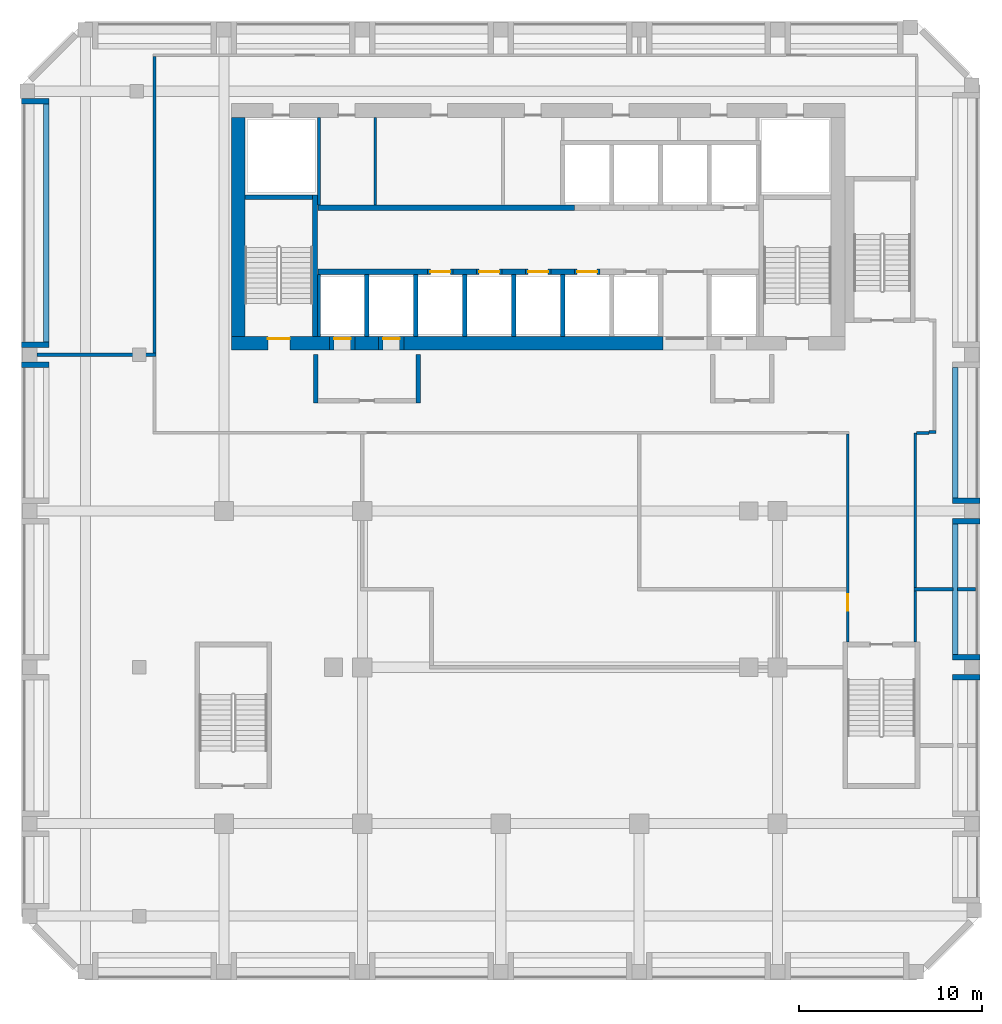
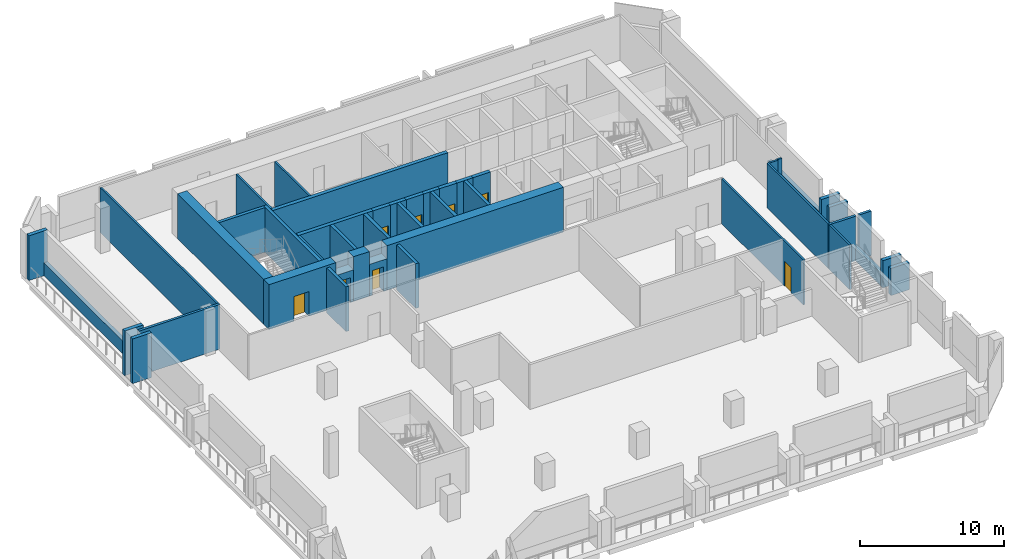
# One storey, part 3 of 9: 46 walls, 8 doors, 8 openings.
"""IFC4 building model written with IfcOpenShell, lengths in metres."""

from ifc_helpers import new_model, si_unit, direction, frame, frame_2d, origin, place, context, subcontext, project, spatial, rectangle, extrude, source, transform, mapped, material, layer, layer_set, type_object, element, fill, save


model = new_model("IFC4")

# Units and contexts
model_context = context("Model", 3, precision=1e-05, world=origin(), true_north=direction((0.0, 1.0)))
body_context = subcontext(model_context, "Body", "Model", "MODEL_VIEW")
ifc_project = project(units=[si_unit("LENGTHUNIT", "METRE"), si_unit("AREAUNIT", "SQUARE_METRE"), si_unit("VOLUMEUNIT", "CUBIC_METRE"), si_unit("PLANEANGLEUNIT", "RADIAN"), si_unit("MASSUNIT", "GRAM", prefix="KILO")], contexts=[model_context])

# Site, building, storey
site_placement = place(None, origin())
site = spatial("IfcSite", under=ifc_project, at=site_placement, CompositionType="ELEMENT")
building_placement = place(site_placement, origin())
building = spatial("IfcBuilding", under=site, at=building_placement, Name="Kilnfold Tower and Market Hall", CompositionType="ELEMENT")
storey_placement = place(building_placement, frame((0.0, 0.0, 195.699951171875)))
storey = spatial("IfcBuildingStorey", under=building, at=storey_placement, Name="L47 Plant Transfer Level", CompositionType="ELEMENT", Elevation=195.699951171875)

# Wall
ifc_material_1 = material(Name="Gypsum board on steel studs", Category="steel")
ifc_layer_1 = layer(ifc_material_1, 0.14990234375)
ifc_layer_set_1 = layer_set([ifc_layer_1], Name="Gypsum board on steel studs")
wall_type_1 = type_object("IfcWallType", Name="WALL CORRIDOR 150", PredefinedType="PARTITIONING", material=ifc_layer_set_1)
wall_1_placement = place(storey_placement, frame((21.699951171875, -7.75, 0.0), z_axis=(0.0, 0.0, 1.0), x_axis=(0.0, 1.0, 0.0)))
element("IfcWall", 1, at=wall_1_placement, inside=storey, type_object=wall_type_1, Name="Partition LY29.3", PredefinedType="PARTITIONING", context=body_context, shape_type="SweptSolid", body=[
    extrude(rectangle(XDim=2.81689453125, YDim=0.14990234375, at=frame_2d((1.408447265625, 0.0))), origin(), (0.0, 0.0, 1.0), 3.800048828125),
])

# Wall, opening, door
wall_2_placement = place(storey_placement, frame((18.0, -7.75, 0.0), z_axis=(0.0, 0.0, 1.0), x_axis=(0.0, 1.0, 0.0)))
wall_2 = element("IfcWall", 2, at=wall_2_placement, inside=storey, type_object=wall_type_1, Name="Partition LY29.4", PredefinedType="PARTITIONING", context=body_context, shape_type="SweptSolid", body=[
    extrude(rectangle(XDim=11.39404296875, YDim=0.14990234375, at=frame_2d((5.697021484375, 0.0))), origin(), (0.0, 0.0, 1.0), 3.800048828125),
])
opening_1_placement = place(wall_2_placement, frame((1.716064453125, 0.0, 0.0)))
opening_1 = element("IfcOpeningElement", 3, at=opening_1_placement, cuts=wall_2, Name="Opening D3", PredefinedType="OPENING", context=body_context, shape_type="SweptSolid", body=[
    extrude(rectangle(XDim=0.89990234375, YDim=2.10009765625, at=frame_2d((0.449951171875, 1.050048828125))), frame((0.0, 0.0849609375, 0.0), z_axis=(0.0, -1.0, 0.0), x_axis=(1.0, 0.0, 0.0)), (0.0, 0.0, 1.0), 0.169921875),
])
ifc_material_2 = material(Name="Timber veneer door leaf in steel frame", Category="steel")
door_type_1 = type_object("IfcDoorType", Name="DOOR WC 900 X2100", OperationType="NOTDEFINED", PredefinedType="DOOR", material=ifc_material_2)
door_1_placement = place(opening_1_placement, origin())
door_1 = element("IfcDoor", 4, at=door_1_placement, inside=storey, type_object=door_type_1, Name="Door D3", OperationType="SINGLE_SWING_RIGHT", OverallHeight=2.10009765625, OverallWidth=0.89990234375, PredefinedType="DOOR", context=body_context, shape_type="SweptSolid", body=[
    extrude(rectangle(XDim=0.89990234375, YDim=2.10009765625, at=frame_2d((0.449951171875, 1.050048828125))), frame((0.0, 0.02490234375, 0.0), z_axis=(0.0, -1.0, 0.0), x_axis=(1.0, 0.0, 0.0)), (0.0, 0.0, 1.0), 0.050048828125),
])
fill(opening_1, door_1)

# Walls
wall_3_placement = place(storey_placement, frame((21.77490234375, 3.7080078125, 0.0), z_axis=(0.0, 0.0, 1.0), x_axis=(1.0, 0.0, 0.0)))
element("IfcWall", 5, at=wall_3_placement, inside=storey, type_object=wall_type_1, Name="Partition LY29.5", PredefinedType="PARTITIONING", context=body_context, shape_type="SweptSolid", body=[
    extrude(rectangle(XDim=0.68115234375, YDim=0.14990234375, at=frame_2d((0.340576171875, 0.0))), origin(), (0.0, 0.0, 1.0), 3.800048828125),
])
wall_4_placement = place(storey_placement, frame((21.699951171875, -4.7529296875, 0.0), z_axis=(0.0, 0.0, 1.0), x_axis=(0.0, 1.0, 0.0)))
element("IfcWall", 6, at=wall_4_placement, inside=storey, type_object=wall_type_1, Name="Partition LY29.6", PredefinedType="PARTITIONING", context=body_context, shape_type="SweptSolid", body=[
    extrude(rectangle(XDim=8.471923828125, YDim=0.14990234375, at=frame_2d((4.23583984375, 0.0))), origin(), (0.0, 0.0, 1.0), 3.800048828125),
])
wall_5_placement = place(storey_placement, frame((22.4560546875, 3.77197265625, 0.0), z_axis=(0.0, 0.0, 1.0), x_axis=(1.0, 0.0, 0.0)))
element("IfcWall", 7, at=wall_5_placement, inside=storey, type_object=wall_type_1, Name="Partition LY29.11", PredefinedType="PARTITIONING", context=body_context, shape_type="SweptSolid", body=[
    extrude(rectangle(XDim=0.375, YDim=0.14990234375, at=frame_2d((0.1875, 0.0))), origin(), (0.0, 0.0, 1.0), 3.800048828125),
])
wall_6_placement = place(storey_placement, frame((-19.958984375, 8.090087890625, 0.0), z_axis=(0.0, 0.0, 1.0), x_axis=(0.0, 1.0, 0.0)))
element("IfcWall", 8, at=wall_6_placement, inside=storey, type_object=wall_type_1, Name="Partition LY29.12", PredefinedType="PARTITIONING", context=body_context, shape_type="SweptSolid", body=[
    extrude(rectangle(XDim=16.23486328125, YDim=0.14990234375, at=frame_2d((8.117431640625, 0.0))), origin(), (0.0, 0.0, 1.0), 3.800048828125),
])
ifc_material_3 = material(Name="Gypsum board on steel studs", Category="steel")
ifc_layer_2 = layer(ifc_material_3, 0.199951171875)
ifc_layer_set_2 = layer_set([ifc_layer_2], Name="Gypsum board on steel studs")
wall_type_2 = type_object("IfcWallType", Name="WALL PARTY 200", PredefinedType="PARTITIONING", material=ifc_layer_set_2)
wall_7_placement = place(storey_placement, frame((-19.885009765625, 8.0, 0.0), z_axis=(0.0, 0.0, 1.0), x_axis=(-1.0, 0.0, 0.0)))
element("IfcWall", 9, at=wall_7_placement, inside=storey, type_object=wall_type_2, Name="Partition LY29.22", PredefinedType="PARTITIONING", context=body_context, shape_type="SweptSolid", body=[
    extrude(rectangle(XDim=6.514892578125, YDim=0.199951171875, at=frame_2d((3.25732421875, 0.0))), origin(), (0.0, 0.0, 1.0), 3.800048828125),
])
wall_8_placement = place(storey_placement, frame((21.6259765625, -4.843017578125, 0.0), z_axis=(0.0, 0.0, 1.0), x_axis=(1.0, 0.0, 0.0)))
element("IfcWall", 10, at=wall_8_placement, inside=storey, type_object=wall_type_2, Name="Partition LY29.26", PredefinedType="PARTITIONING", context=body_context, shape_type="SweptSolid", body=[
    extrude(rectangle(XDim=2.154052734375, YDim=0.199951171875, at=frame_2d((1.0771484375, 0.0))), origin(), (0.0, 0.0, 1.0), 3.800048828125),
])
wall_9_placement = place(storey_placement, frame((24.02001953125, -4.843017578125, 0.0), z_axis=(0.0, 0.0, 1.0), x_axis=(1.0, 0.0, 0.0)))
element("IfcWall", 11, at=wall_9_placement, inside=storey, type_object=wall_type_2, Name="Partition LY29.27", PredefinedType="PARTITIONING", context=body_context, shape_type="SweptSolid", body=[
    extrude(rectangle(XDim=0.97998046875, YDim=0.199951171875, at=frame_2d((0.489990234375, 0.0))), origin(), (0.0, 0.0, 1.0), 3.800048828125),
])
ifc_material_4 = material(Name="Concrete C60", Category="concrete")
ifc_layer_3 = layer(ifc_material_4, 0.25)
ifc_layer_set_3 = layer_set([ifc_layer_3], Name="Concrete C60")
wall_type_3 = type_object("IfcWallType", Name="CORE WALL 250 C60", PredefinedType="SHEAR", material=ifc_layer_set_3)
shared_shape_1 = source(origin(), body_context, "Body", "SweptSolid", [
    extrude(rectangle(XDim=7.75, YDim=0.25, at=frame_2d((3.875, 0.0))), origin(), (0.0, 0.0, 1.0), 3.800048828125),
])
wall_10_placement = place(storey_placement, frame((-11.175048828125, 9.0, 0.0), z_axis=(0.0, 0.0, 1.0), x_axis=(0.0, 1.0, 0.0)))
element("IfcWall", 12, at=wall_10_placement, inside=storey, type_object=wall_type_3, Name="Stair enclosure ST1", PredefinedType="SHEAR", context=body_context, shape_type="MappedRepresentation", body=[
    mapped(shared_shape_1, transform((0.0, 0.0, 0.0))),
])
shared_shape_2 = source(origin(), body_context, "Body", "SweptSolid", [
    extrude(rectangle(XDim=3.699951171875, YDim=0.25, at=frame_2d((1.85009765625, 0.0))), origin(), (0.0, 0.0, 1.0), 3.800048828125),
])
wall_11_placement = place(storey_placement, frame((-15.0, 16.625, 0.0), z_axis=(0.0, 0.0, 1.0), x_axis=(1.0, 0.0, 0.0)))
element("IfcWall", 13, at=wall_11_placement, inside=storey, type_object=wall_type_3, Name="Stair enclosure ST1", PredefinedType="SHEAR", context=body_context, shape_type="MappedRepresentation", body=[
    mapped(shared_shape_2, transform((0.0, 0.0, 0.0))),
])
ifc_material_5 = material(Name="Concrete C60", Category="concrete")
ifc_layer_4 = layer(ifc_material_5, 0.300048828125)
ifc_layer_set_4 = layer_set([ifc_layer_4], Name="Concrete C60")
wall_type_4 = type_object("IfcWallType", Name="CORE WALL 300 C60", PredefinedType="SHEAR", material=ifc_layer_set_4)
shared_shape_3 = source(origin(), body_context, "Body", "SweptSolid", [
    extrude(rectangle(XDim=6.0, YDim=0.300048828125, at=frame_2d((3.0, 0.0))), origin(), (0.0, 0.0, 1.0), 3.800048828125),
])
wall_12_placement = place(storey_placement, frame((-11.010009765625, 12.550048828125, 0.0), z_axis=(0.0, 0.0, 1.0), x_axis=(1.0, 0.0, 0.0)))
element("IfcWall", 14, at=wall_12_placement, inside=storey, type_object=wall_type_4, Name="Core spine wall", PredefinedType="SHEAR", context=body_context, shape_type="MappedRepresentation", body=[
    mapped(shared_shape_3, transform((0.0, 0.0, 0.0))),
])
shared_shape_4 = source(origin(), body_context, "Body", "SweptSolid", [
    extrude(rectangle(XDim=1.280029296875, YDim=0.300048828125, at=frame_2d((0.64013671875, 0.0))), origin(), (0.0, 0.0, 1.0), 3.800048828125),
])
for number, where, z_axis, x_axis, name in (
    (15, (-3.610107421875, 12.550048828125, 0.0), (0.0, 0.0, 1.0), (1.0, 0.0, 0.0), "Core spine wall"),
    (16, (-0.929931640625, 12.550048828125, 0.0), (0.0, 0.0, 1.0), (1.0, 0.0, 0.0), "Core spine wall"),
    (17, (1.75, 12.550048828125, 0.0), (0.0, 0.0, 1.0), (1.0, 0.0, 0.0), "Core spine wall"),
):
    element("IfcWall", number, at=place(storey_placement, frame(where, z_axis=z_axis, x_axis=x_axis)), inside=storey, type_object=wall_type_4, Name=name, PredefinedType="SHEAR", context=body_context, shape_type="MappedRepresentation", body=[
        mapped(shared_shape_4, transform((0.0, 0.0, 0.0))),
    ])
shared_shape_5 = source(origin(), body_context, "Body", "SweptSolid", [
    extrude(rectangle(XDim=14.0400390625, YDim=0.300048828125, at=frame_2d((7.02001953125, 0.0))), origin(), (0.0, 0.0, 1.0), 3.800048828125),
])
wall_13_placement = place(storey_placement, frame((-11.010009765625, 16.050048828125, 0.0), z_axis=(0.0, 0.0, 1.0), x_axis=(1.0, 0.0, 0.0)))
element("IfcWall", 18, at=wall_13_placement, inside=storey, type_object=wall_type_4, Name="Core spine wall", PredefinedType="SHEAR", context=body_context, shape_type="MappedRepresentation", body=[
    mapped(shared_shape_5, transform((0.0, 0.0, 0.0))),
])

# Wall, opening, door
ifc_material_6 = material(Name="Concrete C60", Category="concrete")
ifc_layer_5 = layer(ifc_material_6, 0.75)
ifc_layer_set_5 = layer_set([ifc_layer_5], Name="Concrete C60")
wall_type_5 = type_object("IfcWallType", Name="CORE WALL 750 C60", PredefinedType="SHEAR", material=ifc_layer_set_5)
shared_shape_6 = source(origin(), body_context, "Body", "SweptSolid", [
    extrude(rectangle(XDim=5.3798828125, YDim=0.75, at=frame_2d((2.68994140625, 0.0))), origin(), (0.0, 0.0, 1.0), 3.800048828125),
])
wall_14_placement = place(storey_placement, frame((-15.75, 8.625, 0.0), z_axis=(0.0, 0.0, 1.0), x_axis=(1.0, 0.0, 0.0)))
wall_14 = element("IfcWall", 19, at=wall_14_placement, inside=storey, type_object=wall_type_5, Name="Core outer wall south", PredefinedType="SHEAR", context=body_context, shape_type="MappedRepresentation", body=[
    mapped(shared_shape_6, transform((0.0, 0.0, 0.0))),
])
opening_2_placement = place(wall_14_placement, frame((2.0, 0.0, 0.0)))
opening_2 = element("IfcOpeningElement", 20, at=opening_2_placement, cuts=wall_14, Name="Opening SD1", PredefinedType="OPENING", context=body_context, shape_type="SweptSolid", body=[
    extrude(rectangle(XDim=1.199951171875, YDim=2.10009765625, at=frame_2d((0.60009765625, 1.050048828125))), frame((0.0, 0.385009765625, 0.0), z_axis=(0.0, -1.0, 0.0), x_axis=(1.0, 0.0, 0.0)), (0.0, 0.0, 1.0), 0.77001953125),
])
ifc_material_7 = material(Name="Steel door set with fire-resisting leaf", Category="steel")
door_type_2 = type_object("IfcDoorType", Name="STAIR FLOOR DOOR 1200X2100", OperationType="NOTDEFINED", PredefinedType="DOOR", material=ifc_material_7)
door_2_placement = place(opening_2_placement, origin())
door_2 = element("IfcDoor", 21, at=door_2_placement, inside=storey, type_object=door_type_2, Name="Exit stair ST1 door", OperationType="DOUBLE_DOOR_SINGLE_SWING", OverallHeight=2.10009765625, OverallWidth=1.199951171875, PredefinedType="DOOR", context=body_context, shape_type="SweptSolid", body=[
    extrude(rectangle(XDim=1.199951171875, YDim=2.10009765625, at=frame_2d((0.60009765625, 1.050048828125))), frame((0.0, 0.27978515625, 0.0), z_axis=(0.0, -1.0, 0.0), x_axis=(1.0, 0.0, 0.0)), (0.0, 0.0, 1.0), 0.050048828125),
])
fill(opening_2, door_2)

# Walls
shared_shape_7 = source(origin(), body_context, "Body", "SweptSolid", [
    extrude(rectangle(XDim=1.280029296875, YDim=0.75, at=frame_2d((0.64013671875, 0.0))), origin(), (0.0, 0.0, 1.0), 3.800048828125),
])
wall_15_placement = place(storey_placement, frame((-8.969970703125, 8.625, 0.0), z_axis=(0.0, 0.0, 1.0), x_axis=(1.0, 0.0, 0.0)))
element("IfcWall", 22, at=wall_15_placement, inside=storey, type_object=wall_type_5, Name="Core outer wall south", PredefinedType="SHEAR", context=body_context, shape_type="MappedRepresentation", body=[
    mapped(shared_shape_7, transform((0.0, 0.0, 0.0))),
])
shared_shape_8 = source(origin(), body_context, "Body", "SweptSolid", [
    extrude(rectangle(XDim=14.179931640625, YDim=0.75, at=frame_2d((7.08984375, 0.0))), origin(), (0.0, 0.0, 1.0), 3.800048828125),
])
wall_16_placement = place(storey_placement, frame((-6.2900390625, 8.625, 0.0), z_axis=(0.0, 0.0, 1.0), x_axis=(1.0, 0.0, 0.0)))
element("IfcWall", 23, at=wall_16_placement, inside=storey, type_object=wall_type_5, Name="Core outer wall south", PredefinedType="SHEAR", context=body_context, shape_type="MappedRepresentation", body=[
    mapped(shared_shape_8, transform((0.0, 0.0, 0.0))),
])
shared_shape_9 = source(origin(), body_context, "Body", "SweptSolid", [
    extrude(rectangle(XDim=12.0, YDim=0.75, at=frame_2d((6.0, 0.0))), origin(), (0.0, 0.0, 1.0), 3.800048828125),
])
wall_17_placement = place(storey_placement, frame((-15.375, 9.0, 0.0), z_axis=(0.0, 0.0, 1.0), x_axis=(0.0, 1.0, 0.0)))
element("IfcWall", 24, at=wall_17_placement, inside=storey, type_object=wall_type_5, Name="Core outer wall west", PredefinedType="SHEAR", context=body_context, shape_type="MappedRepresentation", body=[
    mapped(shared_shape_9, transform((0.0, 0.0, 0.0))),
])
ifc_material_8 = material(Name="Precast concrete C50/60", Category="concrete")
ifc_layer_6 = layer(ifc_material_8, 0.300048828125)
ifc_layer_set_6 = layer_set([ifc_layer_6], Name="Precast concrete C50/60")
wall_type_6 = type_object("IfcWallType", Name="PRECAST WALL 300", PredefinedType="SOLIDWALL", material=ifc_layer_set_6)
shared_shape_10 = source(origin(), body_context, "Body", "SweptSolid", [
    extrude(rectangle(XDim=1.5, YDim=0.300048828125, at=frame_2d((0.75, 0.0))), origin(), (0.0, 0.0, 1.0), 2.300048828125),
])
for number, where, z_axis, x_axis, name in (
    (25, (25.25, -9.675048828125, 0.0), (0.0, 0.0, 1.0), (-1.0, 0.0, 0.0), "Plant wall L47 E"),
    (26, (25.25, -8.574951171875, 0.0), (0.0, 0.0, 1.0), (-1.0, 0.0, 0.0), "Plant wall L47 E"),
    (27, (25.25, -1.112548828125, 0.0), (0.0, 0.0, 1.0), (-1.0, 0.0, 0.0), "Plant wall L47 E"),
    (28, (25.25, -0.012451171875, 0.0), (0.0, 0.0, 1.0), (-1.0, 0.0, 0.0), "Plant wall L47 E"),
):
    element("IfcWall", number, at=place(storey_placement, frame(where, z_axis=z_axis, x_axis=x_axis)), inside=storey, type_object=wall_type_6, Name=name, PredefinedType="SOLIDWALL", context=body_context, shape_type="MappedRepresentation", body=[
        mapped(shared_shape_10, transform((0.0, 0.0, 0.0))),
    ])
shared_shape_11 = source(origin(), body_context, "Body", "SweptSolid", [
    extrude(rectangle(XDim=1.5, YDim=0.300048828125, at=frame_2d((0.75, 0.0))), origin(), (0.0, 0.0, 1.0), 3.800048828125),
])
for number, where, z_axis, x_axis, name in (
    (29, (-27.25, 21.8818359375, 0.0), (0.0, 0.0, 1.0), (1.0, 0.0, 0.0), "Plant wall L47 W"),
    (30, (-27.25, 8.550048828125, 0.0), (0.0, 0.0, 1.0), (1.0, 0.0, 0.0), "Plant wall L47 W"),
    (31, (-27.25, 7.449951171875, 0.0), (0.0, 0.0, 1.0), (1.0, 0.0, 0.0), "Plant wall L47 W"),
):
    element("IfcWall", number, at=place(storey_placement, frame(where, z_axis=z_axis, x_axis=x_axis)), inside=storey, type_object=wall_type_6, Name=name, PredefinedType="SOLIDWALL", context=body_context, shape_type="MappedRepresentation", body=[
        mapped(shared_shape_11, transform((0.0, 0.0, 0.0))),
    ])
shared_shape_12 = source(origin(), body_context, "Body", "SweptSolid", [
    extrude(rectangle(XDim=7.16259765625, YDim=0.300048828125, at=frame_2d((3.581298828125, 0.0))), origin(), (0.0, 0.0, 1.0), 1.10009765625),
])
for number, where, z_axis, x_axis, name in (
    (32, (23.89990234375, -8.425048828125, 0.0), (0.0, 0.0, 1.0), (0.0, 1.0, 0.0), "Knee wall L47 E"),
    (33, (23.89990234375, 0.137451171875, 0.0), (0.0, 0.0, 1.0), (0.0, 1.0, 0.0), "Knee wall L47 E"),
):
    element("IfcWall", number, at=place(storey_placement, frame(where, z_axis=z_axis, x_axis=x_axis)), inside=storey, type_object=wall_type_6, Name=name, PredefinedType="SOLIDWALL", context=body_context, shape_type="MappedRepresentation", body=[
        mapped(shared_shape_12, transform((0.0, 0.0, 0.0))),
    ])
shared_shape_13 = source(origin(), body_context, "Body", "SweptSolid", [
    extrude(rectangle(XDim=13.03173828125, YDim=0.300048828125, at=frame_2d((6.515869140625, 0.0))), origin(), (0.0, 0.0, 1.0), 1.10009765625),
])
wall_18_placement = place(storey_placement, frame((-25.89990234375, 21.731689453125, 0.0), z_axis=(0.0, 0.0, 1.0), x_axis=(0.0, -1.0, 0.0)))
element("IfcWall", 34, at=wall_18_placement, inside=storey, type_object=wall_type_6, Name="Knee wall L47 W", PredefinedType="SOLIDWALL", context=body_context, shape_type="MappedRepresentation", body=[
    mapped(shared_shape_13, transform((0.0, 0.0, 0.0))),
])

# Wall, opening, door
ifc_material_9 = material(Name="Gypsum shaft wall system")
ifc_layer_7 = layer(ifc_material_9, 0.300048828125)
ifc_layer_set_7 = layer_set([ifc_layer_7], Name="Gypsum shaft wall system")
wall_type_7 = type_object("IfcWallType", Name="SHAFT WALL 300", PredefinedType="PARTITIONING", material=ifc_layer_set_7)
shared_shape_14 = source(origin(), body_context, "Body", "SweptSolid", [
    extrude(rectangle(XDim=1.39990234375, YDim=0.300048828125, at=frame_2d((0.699951171875, 0.0))), origin(), (0.0, 0.0, 1.0), 3.800048828125),
])
wall_19_placement = place(storey_placement, frame((-5.010009765625, 12.550048828125, 0.0), z_axis=(0.0, 0.0, 1.0), x_axis=(1.0, 0.0, 0.0)))
wall_19 = element("IfcWall", 35, at=wall_19_placement, inside=storey, type_object=wall_type_7, Name="Lift shaft front wall", PredefinedType="PARTITIONING", context=body_context, shape_type="MappedRepresentation", body=[
    mapped(shared_shape_14, transform((0.0, 0.0, 0.0))),
])
opening_3_placement = place(wall_19_placement, frame((0.14990234375, 0.0, 0.0)))
opening_3 = element("IfcOpeningElement", 36, at=opening_3_placement, cuts=wall_19, Name="Opening LD2", PredefinedType="OPENING", context=body_context, shape_type="SweptSolid", body=[
    extrude(rectangle(XDim=1.10009765625, YDim=2.10009765625, at=frame_2d((0.550048828125, 1.050048828125))), frame((0.0, 0.16015625, 0.0), z_axis=(0.0, -1.0, 0.0), x_axis=(1.0, 0.0, 0.0)), (0.0, 0.0, 1.0), 0.320068359375),
])
ifc_material_10 = material(Name="Steel door set with fire-resisting leaf", Category="steel")
door_type_3 = type_object("IfcDoorType", Name="LANDING DOOR 1100X2100", OperationType="NOTDEFINED", PredefinedType="DOOR", material=ifc_material_10)
door_3_placement = place(opening_3_placement, origin())
door_3 = element("IfcDoor", 37, at=door_3_placement, inside=storey, type_object=door_type_3, Name="Landing door MR1", OperationType="DOUBLE_DOOR_SLIDING", OverallHeight=2.10009765625, OverallWidth=1.10009765625, PredefinedType="DOOR", context=body_context, shape_type="SweptSolid", body=[
    extrude(rectangle(XDim=1.10009765625, YDim=2.10009765625, at=frame_2d((0.550048828125, 1.050048828125))), frame((0.0, 0.02490234375, 0.0), z_axis=(0.0, -1.0, 0.0), x_axis=(1.0, 0.0, 0.0)), (0.0, 0.0, 1.0), 0.050048828125),
])
fill(opening_3, door_3)

wall_20_placement = place(storey_placement, frame((0.35009765625, 12.550048828125, 0.0), z_axis=(0.0, 0.0, 1.0), x_axis=(1.0, 0.0, 0.0)))
wall_20 = element("IfcWall", 38, at=wall_20_placement, inside=storey, type_object=wall_type_7, Name="Lift shaft front wall", PredefinedType="PARTITIONING", context=body_context, shape_type="MappedRepresentation", body=[
    mapped(shared_shape_14, transform((0.0, 0.0, 0.0))),
])
opening_4_placement = place(wall_20_placement, frame((0.14990234375, 0.0, 0.0)))
opening_4 = element("IfcOpeningElement", 39, at=opening_4_placement, cuts=wall_20, Name="Opening LD2", PredefinedType="OPENING", context=body_context, shape_type="SweptSolid", body=[
    extrude(rectangle(XDim=1.10009765625, YDim=2.10009765625, at=frame_2d((0.550048828125, 1.050048828125))), frame((0.0, 0.16015625, 0.0), z_axis=(0.0, -1.0, 0.0), x_axis=(1.0, 0.0, 0.0)), (0.0, 0.0, 1.0), 0.320068359375),
])
door_4_placement = place(opening_4_placement, origin())
door_4 = element("IfcDoor", 40, at=door_4_placement, inside=storey, type_object=door_type_3, Name="Landing door MR3", OperationType="DOUBLE_DOOR_SLIDING", OverallHeight=2.10009765625, OverallWidth=1.10009765625, PredefinedType="DOOR", context=body_context, shape_type="SweptSolid", body=[
    extrude(rectangle(XDim=1.10009765625, YDim=2.10009765625, at=frame_2d((0.550048828125, 1.050048828125))), frame((0.0, 0.02490234375, 0.0), z_axis=(0.0, -1.0, 0.0), x_axis=(1.0, 0.0, 0.0)), (0.0, 0.0, 1.0), 0.050048828125),
])
fill(opening_4, door_4)

wall_21_placement = place(storey_placement, frame((3.030029296875, 12.550048828125, 0.0), z_axis=(0.0, 0.0, 1.0), x_axis=(1.0, 0.0, 0.0)))
wall_21 = element("IfcWall", 41, at=wall_21_placement, inside=storey, type_object=wall_type_7, Name="Lift shaft front wall", PredefinedType="PARTITIONING", context=body_context, shape_type="MappedRepresentation", body=[
    mapped(shared_shape_14, transform((0.0, 0.0, 0.0))),
])
opening_5_placement = place(wall_21_placement, frame((0.14990234375, 0.0, 0.0)))
opening_5 = element("IfcOpeningElement", 42, at=opening_5_placement, cuts=wall_21, Name="Opening LD2", PredefinedType="OPENING", context=body_context, shape_type="SweptSolid", body=[
    extrude(rectangle(XDim=1.10009765625, YDim=2.10009765625, at=frame_2d((0.550048828125, 1.050048828125))), frame((0.0, 0.16015625, 0.0), z_axis=(0.0, -1.0, 0.0), x_axis=(1.0, 0.0, 0.0)), (0.0, 0.0, 1.0), 0.320068359375),
])
door_5_placement = place(opening_5_placement, origin())
door_5 = element("IfcDoor", 43, at=door_5_placement, inside=storey, type_object=door_type_3, Name="Landing door MR4", OperationType="DOUBLE_DOOR_SLIDING", OverallHeight=2.10009765625, OverallWidth=1.10009765625, PredefinedType="DOOR", context=body_context, shape_type="SweptSolid", body=[
    extrude(rectangle(XDim=1.10009765625, YDim=2.10009765625, at=frame_2d((0.550048828125, 1.050048828125))), frame((0.0, 0.02490234375, 0.0), z_axis=(0.0, -1.0, 0.0), x_axis=(1.0, 0.0, 0.0)), (0.0, 0.0, 1.0), 0.050048828125),
])
fill(opening_5, door_5)

shared_shape_15 = source(origin(), body_context, "Body", "SweptSolid", [
    extrude(rectangle(XDim=1.400146484375, YDim=0.300048828125, at=frame_2d((0.7001953125, 0.0))), origin(), (0.0, 0.0, 1.0), 3.800048828125),
])
wall_22_placement = place(storey_placement, frame((-2.330078125, 12.550048828125, 0.0), z_axis=(0.0, 0.0, 1.0), x_axis=(1.0, 0.0, 0.0)))
wall_22 = element("IfcWall", 44, at=wall_22_placement, inside=storey, type_object=wall_type_7, Name="Lift shaft front wall", PredefinedType="PARTITIONING", context=body_context, shape_type="MappedRepresentation", body=[
    mapped(shared_shape_15, transform((0.0, 0.0, 0.0))),
])
opening_6_placement = place(wall_22_placement, frame((0.14990234375, 0.0, 0.0)))
opening_6 = element("IfcOpeningElement", 45, at=opening_6_placement, cuts=wall_22, Name="Opening LD2", PredefinedType="OPENING", context=body_context, shape_type="SweptSolid", body=[
    extrude(rectangle(XDim=1.10009765625, YDim=2.10009765625, at=frame_2d((0.550048828125, 1.050048828125))), frame((0.0, 0.16015625, 0.0), z_axis=(0.0, -1.0, 0.0), x_axis=(1.0, 0.0, 0.0)), (0.0, 0.0, 1.0), 0.320068359375),
])
door_6_placement = place(opening_6_placement, origin())
door_6 = element("IfcDoor", 46, at=door_6_placement, inside=storey, type_object=door_type_3, Name="Landing door MR2", OperationType="DOUBLE_DOOR_SLIDING", OverallHeight=2.10009765625, OverallWidth=1.10009765625, PredefinedType="DOOR", context=body_context, shape_type="SweptSolid", body=[
    extrude(rectangle(XDim=1.10009765625, YDim=2.10009765625, at=frame_2d((0.550048828125, 1.050048828125))), frame((0.0, 0.02490234375, 0.0), z_axis=(0.0, -1.0, 0.0), x_axis=(1.0, 0.0, 0.0)), (0.0, 0.0, 1.0), 0.050048828125),
])
fill(opening_6, door_6)

# Walls
ifc_material_11 = material(Name="Gypsum shaft wall system")
ifc_layer_8 = layer(ifc_material_11, 0.25)
ifc_layer_set_8 = layer_set([ifc_layer_8], Name="Gypsum shaft wall system")
wall_type_8 = type_object("IfcWallType", Name="LOBBY WALL 250", PredefinedType="PARTITIONING", material=ifc_layer_set_8)
shared_shape_16 = source(origin(), body_context, "Body", "SweptSolid", [
    extrude(rectangle(XDim=2.64990234375, YDim=0.25, at=frame_2d((1.324951171875, 0.0))), origin(), (0.0, 0.0, 1.0), 3.800048828125),
])
for number, where, z_axis, x_axis, name in (
    (47, (-11.135009765625, 5.35009765625, 0.0), (0.0, 0.0, 1.0), (0.0, 1.0, 0.0), "Firefighting lobby wall"),
    (48, (-5.52490234375, 5.35009765625, 0.0), (0.0, 0.0, 1.0), (0.0, 1.0, 0.0), "Firefighting lobby wall"),
):
    element("IfcWall", number, at=place(storey_placement, frame(where, z_axis=z_axis, x_axis=x_axis)), inside=storey, type_object=wall_type_8, Name=name, PredefinedType="PARTITIONING", context=body_context, shape_type="MappedRepresentation", body=[
        mapped(shared_shape_16, transform((0.0, 0.0, 0.0))),
    ])
ifc_material_12 = material(Name="Gypsum shaft wall system")
ifc_layer_9 = layer(ifc_material_12, 0.25)
ifc_layer_set_9 = layer_set([ifc_layer_9], Name="Gypsum shaft wall system")
wall_type_9 = type_object("IfcWallType", Name="SHAFT WALL 250", PredefinedType="PARTITIONING", material=ifc_layer_set_9)
shared_shape_17 = source(origin(), body_context, "Body", "SweptSolid", [
    extrude(rectangle(XDim=3.39990234375, YDim=0.25, at=frame_2d((1.699951171875, 0.0))), origin(), (0.0, 0.0, 1.0), 3.800048828125),
])
for number, where, z_axis, x_axis, name in (
    (49, (2.389892578125, 9.0, 0.0), (0.0, 0.0, 1.0), (0.0, 1.0, 0.0), "Lift shaft wall"),
    (50, (-0.2900390625, 9.0, 0.0), (0.0, 0.0, 1.0), (0.0, 1.0, 0.0), "Lift shaft wall"),
    (51, (-2.969970703125, 9.0, 0.0), (0.0, 0.0, 1.0), (0.0, 1.0, 0.0), "Lift shaft wall"),
    (52, (-5.64990234375, 9.0, 0.0), (0.0, 0.0, 1.0), (0.0, 1.0, 0.0), "Lift shaft wall"),
    (53, (-8.330078125, 9.0, 0.0), (0.0, 0.0, 1.0), (0.0, 1.0, 0.0), "Lift shaft wall"),
):
    element("IfcWall", number, at=place(storey_placement, frame(where, z_axis=z_axis, x_axis=x_axis)), inside=storey, type_object=wall_type_9, Name=name, PredefinedType="PARTITIONING", context=body_context, shape_type="MappedRepresentation", body=[
        mapped(shared_shape_17, transform((0.0, 0.0, 0.0))),
    ])
ifc_material_13 = material(Name="Gypsum shaft wall system")
ifc_layer_10 = layer(ifc_material_13, 0.1650390625)
ifc_layer_set_10 = layer_set([ifc_layer_10], Name="Gypsum shaft wall system")
wall_type_10 = type_object("IfcWallType", Name="SHAFT WALL 165", PredefinedType="PARTITIONING", material=ifc_layer_set_10)
shared_shape_18 = source(origin(), body_context, "Body", "SweptSolid", [
    extrude(rectangle(XDim=3.39990234375, YDim=0.1650390625, at=frame_2d((1.699951171875, 0.0))), origin(), (0.0, 0.0, 1.0), 3.800048828125),
])
wall_23_placement = place(storey_placement, frame((-10.967529296875, 9.0, 0.0), z_axis=(0.0, 0.0, 1.0), x_axis=(0.0, 1.0, 0.0)))
element("IfcWall", 54, at=wall_23_placement, inside=storey, type_object=wall_type_10, Name="Lift shaft wall", PredefinedType="PARTITIONING", context=body_context, shape_type="MappedRepresentation", body=[
    mapped(shared_shape_18, transform((0.0, 0.0, 0.0))),
])
shared_shape_19 = source(origin(), body_context, "Body", "SweptSolid", [
    extrude(rectangle(XDim=4.800048828125, YDim=0.1650390625, at=frame_2d((2.39990234375, 0.0))), origin(), (0.0, 0.0, 1.0), 3.800048828125),
])
wall_24_placement = place(storey_placement, frame((-10.967529296875, 16.199951171875, 0.0), z_axis=(0.0, 0.0, 1.0), x_axis=(0.0, 1.0, 0.0)))
element("IfcWall", 55, at=wall_24_placement, inside=storey, type_object=wall_type_10, Name="Lift shaft wall", PredefinedType="PARTITIONING", context=body_context, shape_type="MappedRepresentation", body=[
    mapped(shared_shape_19, transform((0.0, 0.0, 0.0))),
])
ifc_material_14 = material(Name="Gypsum shaft wall system")
ifc_layer_11 = layer(ifc_material_14, 0.14990234375)
ifc_layer_set_11 = layer_set([ifc_layer_11], Name="Gypsum shaft wall system")
wall_type_11 = type_object("IfcWallType", Name="ROOM WALL 150", PredefinedType="PARTITIONING", material=ifc_layer_set_11)
shared_shape_20 = source(origin(), body_context, "Body", "SweptSolid", [
    extrude(rectangle(XDim=4.800048828125, YDim=0.14990234375, at=frame_2d((2.39990234375, 0.0))), origin(), (0.0, 0.0, 1.0), 3.800048828125),
])
wall_25_placement = place(storey_placement, frame((-7.87451171875, 16.199951171875, 0.0), z_axis=(0.0, 0.0, 1.0), x_axis=(0.0, 1.0, 0.0)))
element("IfcWall", 56, at=wall_25_placement, inside=storey, type_object=wall_type_11, Name="Core room wall", PredefinedType="PARTITIONING", context=body_context, shape_type="MappedRepresentation", body=[
    mapped(shared_shape_20, transform((0.0, 0.0, 0.0))),
])

# Wall, opening, door
ifc_material_15 = material(Name="Gypsum shaft wall system")
ifc_layer_12 = layer(ifc_material_15, 0.75)
ifc_layer_set_12 = layer_set([ifc_layer_12], Name="Gypsum shaft wall system")
wall_type_12 = type_object("IfcWallType", Name="LOBBY WALL 750", PredefinedType="PARTITIONING", material=ifc_layer_set_12)
shared_shape_21 = source(origin(), body_context, "Body", "SweptSolid", [
    extrude(rectangle(XDim=1.400146484375, YDim=0.75, at=frame_2d((0.7001953125, 0.0))), origin(), (0.0, 0.0, 1.0), 2.699951171875),
])
wall_26_placement = place(storey_placement, frame((-10.3701171875, 8.625, 0.0), z_axis=(0.0, 0.0, 1.0), x_axis=(1.0, 0.0, 0.0)))
wall_26 = element("IfcWall", 57, at=wall_26_placement, inside=storey, type_object=wall_type_12, Name="Core wall infill", PredefinedType="PARTITIONING", context=body_context, shape_type="MappedRepresentation", body=[
    mapped(shared_shape_21, transform((0.0, 0.0, 0.0))),
])
opening_7_placement = place(wall_26_placement, frame((0.25, 0.0, 0.0)))
opening_7 = element("IfcOpeningElement", 58, at=opening_7_placement, cuts=wall_26, Name="Opening LD1", PredefinedType="OPENING", context=body_context, shape_type="SweptSolid", body=[
    extrude(rectangle(XDim=0.89990234375, YDim=2.10009765625, at=frame_2d((0.449951171875, 1.050048828125))), frame((0.0, 0.385009765625, 0.0), z_axis=(0.0, -1.0, 0.0), x_axis=(1.0, 0.0, 0.0)), (0.0, 0.0, 1.0), 0.77001953125),
])
ifc_material_16 = material(Name="Steel door set with fire-resisting leaf", Category="steel")
door_type_4 = type_object("IfcDoorType", Name="FIREFIGHTING LANDING DOOR 900X2100", OperationType="NOTDEFINED", PredefinedType="DOOR", material=ifc_material_16)
door_7_placement = place(opening_7_placement, origin())
door_7 = element("IfcDoor", 59, at=door_7_placement, inside=storey, type_object=door_type_4, Name="Landing door FF1", OperationType="SLIDING_TO_LEFT", OverallHeight=2.10009765625, OverallWidth=0.89990234375, PredefinedType="DOOR", context=body_context, shape_type="SweptSolid", body=[
    extrude(rectangle(XDim=0.89990234375, YDim=2.10009765625, at=frame_2d((0.449951171875, 1.050048828125))), frame((0.0, 0.27978515625, 0.0), z_axis=(0.0, -1.0, 0.0), x_axis=(1.0, 0.0, 0.0)), (0.0, 0.0, 1.0), 0.050048828125),
])
fill(opening_7, door_7)

shared_shape_22 = source(origin(), body_context, "Body", "SweptSolid", [
    extrude(rectangle(XDim=1.39990234375, YDim=0.75, at=frame_2d((0.699951171875, 0.0))), origin(), (0.0, 0.0, 1.0), 2.699951171875),
])
wall_27_placement = place(storey_placement, frame((-7.68994140625, 8.625, 0.0), z_axis=(0.0, 0.0, 1.0), x_axis=(1.0, 0.0, 0.0)))
wall_27 = element("IfcWall", 60, at=wall_27_placement, inside=storey, type_object=wall_type_12, Name="Core wall infill", PredefinedType="PARTITIONING", context=body_context, shape_type="MappedRepresentation", body=[
    mapped(shared_shape_22, transform((0.0, 0.0, 0.0))),
])
opening_8_placement = place(wall_27_placement, frame((0.25, 0.0, 0.0)))
opening_8 = element("IfcOpeningElement", 61, at=opening_8_placement, cuts=wall_27, Name="Opening LD1", PredefinedType="OPENING", context=body_context, shape_type="SweptSolid", body=[
    extrude(rectangle(XDim=0.89990234375, YDim=2.10009765625, at=frame_2d((0.449951171875, 1.050048828125))), frame((0.0, 0.385009765625, 0.0), z_axis=(0.0, -1.0, 0.0), x_axis=(1.0, 0.0, 0.0)), (0.0, 0.0, 1.0), 0.77001953125),
])
door_8_placement = place(opening_8_placement, origin())
door_8 = element("IfcDoor", 62, at=door_8_placement, inside=storey, type_object=door_type_4, Name="Landing door FF2", OperationType="SLIDING_TO_RIGHT", OverallHeight=2.10009765625, OverallWidth=0.89990234375, PredefinedType="DOOR", context=body_context, shape_type="SweptSolid", body=[
    extrude(rectangle(XDim=0.89990234375, YDim=2.10009765625, at=frame_2d((0.449951171875, 1.050048828125))), frame((0.0, 0.27978515625, 0.0), z_axis=(0.0, -1.0, 0.0), x_axis=(1.0, 0.0, 0.0)), (0.0, 0.0, 1.0), 0.050048828125),
])
fill(opening_8, door_8)

save(model, "model.ifc")
